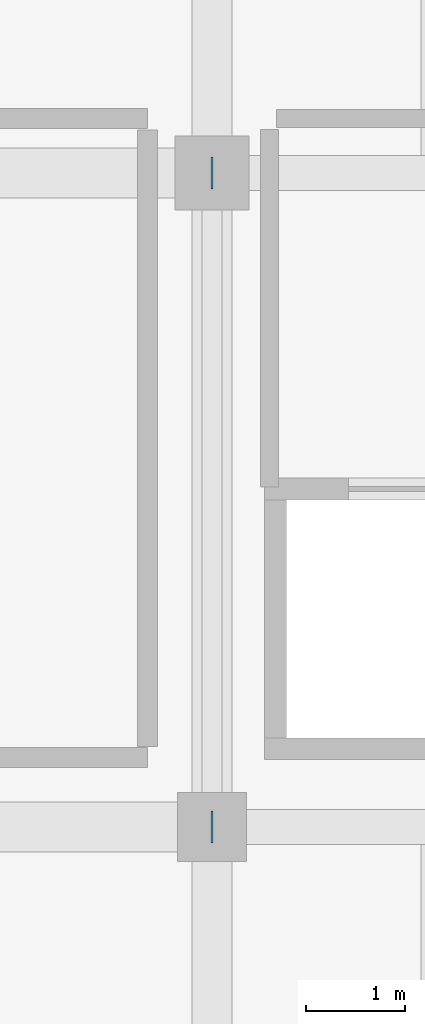
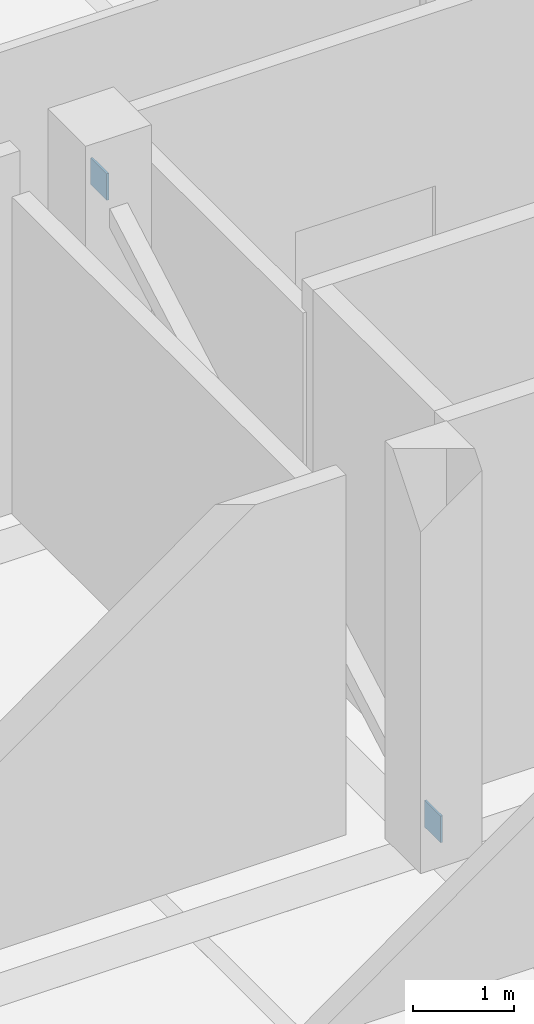
# One storey, part 18 of 37: 2 plates.
"""IFC4 building model written with IfcOpenShell, lengths in metres."""

from ifc_helpers import new_model, si_unit, direction, frame, origin, origin_2d, place, context, subcontext, project, spatial, rectangle, extrude, material, layer, layer_set, type_object, element, save


model = new_model("IFC4")

# Units and contexts
model_context = context("Model", 3, precision=1e-05, world=origin(), true_north=direction((0.0, 1.0)))
body_context = subcontext(model_context, "Body", "Model", "MODEL_VIEW")
ifc_project = project(units=[si_unit("LENGTHUNIT", "METRE"), si_unit("AREAUNIT", "SQUARE_METRE"), si_unit("VOLUMEUNIT", "CUBIC_METRE"), si_unit("PLANEANGLEUNIT", "RADIAN"), si_unit("MASSUNIT", "GRAM", prefix="KILO")], contexts=[model_context])

# Site, building, storey
site_placement = place(None, origin())
site = spatial("IfcSite", under=ifc_project, at=site_placement, CompositionType="ELEMENT")
building_placement = place(site_placement, origin())
building = spatial("IfcBuilding", under=site, at=building_placement, Name="Dornvale Research Institute", CompositionType="ELEMENT")
storey_placement = place(building_placement, frame((0.0, 0.0, 29.39990234375)))
storey = spatial("IfcBuildingStorey", under=building, at=storey_placement, Name="L06", CompositionType="ELEMENT", Elevation=29.39990234375)

# Plates
ifc_material = material(Name="Steel ASTM A572 Grade 50", Category="steel")
ifc_layer = layer(ifc_material, 0.02490234375)
ifc_layer_set = layer_set([ifc_layer], Name="Steel ASTM A572 Grade 50")
plate_type = type_object("IfcPlateType", Name="SheetPlate_EndCap_25", PredefinedType="SHEET", material=ifc_layer_set)
for number, where, z_axis, x_axis, name in (
    (1, (13.199951171875, 103.800048828125, 0.14013671875), (0.0, 0.0, 1.0), (0.0, 1.0, 0.0), "HSS brace node gusset and cap plate ND-037"),
    (2, (13.199951171875, 110.39990234375, 3.89013671875), (0.0, 0.0, 1.0), (0.0, 1.0, 0.0), "HSS brace node gusset and cap plate ND-038"),
):
    element("IfcPlate", number, at=place(storey_placement, frame(where, z_axis=z_axis, x_axis=x_axis)), inside=storey, type_object=plate_type, Name=name, PredefinedType="SHEET", context=body_context, shape_type="SweptSolid", body=[
        extrude(rectangle(XDim=0.320068359375, YDim=0.02490234375, at=origin_2d()), origin(), (0.0, 0.0, 1.0), 0.320068359375),
    ])

save(model, "model.ifc")
